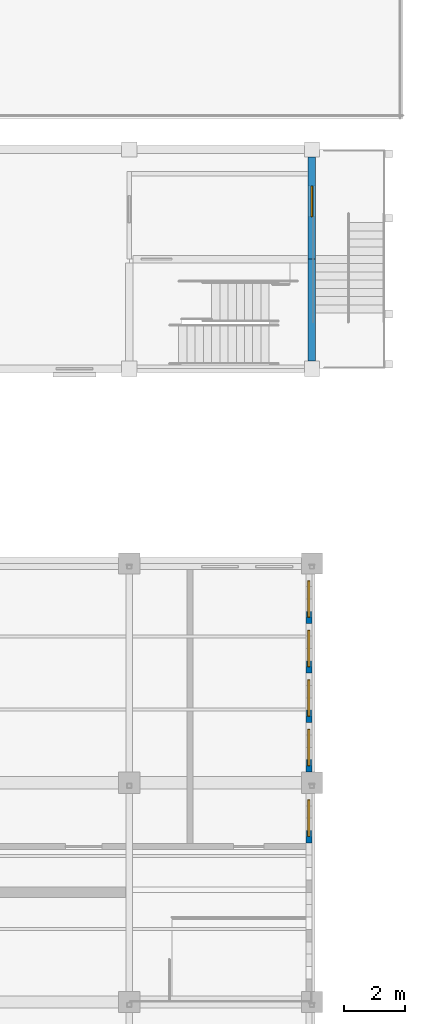
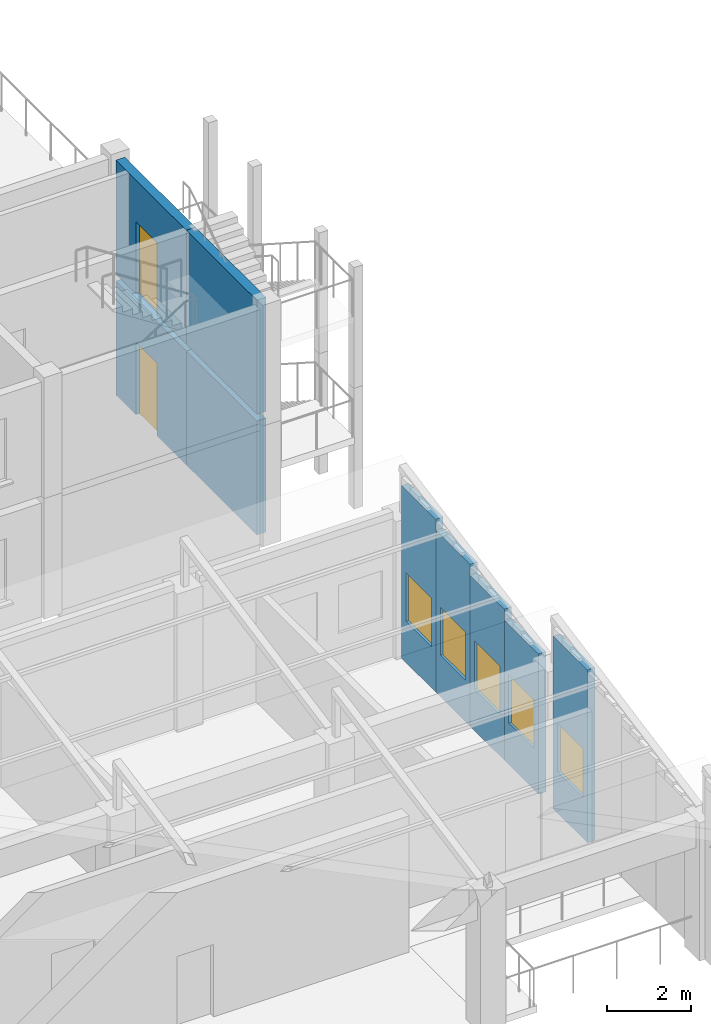
# One storey, part 74 of 103: 9 walls, 5 windows, 2 doors, 7 openings.
"""IFC4 building model written with IfcOpenShell, lengths in metres."""

from ifc_helpers import new_model, si_unit, direction, frame, frame_2d, origin, place, context, subcontext, project, spatial, rectangle, extrude, material, layer, layer_set, type_object, element, fill, save


model = new_model("IFC4")

# Units and contexts
model_context = context("Model", 3, precision=1e-05, world=origin(), true_north=direction((0.0, 1.0)))
body_context = subcontext(model_context, "Body", "Model", "MODEL_VIEW")
ifc_project = project(units=[si_unit("LENGTHUNIT", "METRE"), si_unit("AREAUNIT", "SQUARE_METRE"), si_unit("VOLUMEUNIT", "CUBIC_METRE"), si_unit("PLANEANGLEUNIT", "RADIAN"), si_unit("MASSUNIT", "GRAM", prefix="KILO")], contexts=[model_context])

# Site, building, storey
site_placement = place(None, origin())
site = spatial("IfcSite", under=ifc_project, at=site_placement, CompositionType="ELEMENT")
building_placement = place(site_placement, origin())
building = spatial("IfcBuilding", under=site, at=building_placement, Name="Laocheng Heights Fire and Rescue Headquarters", CompositionType="ELEMENT")
storey_placement = place(building_placement, frame((0.0, 0.0, 4.199951171875)))
storey = spatial("IfcBuildingStorey", under=building, at=storey_placement, Name="L01", CompositionType="ELEMENT", Elevation=4.199951171875)

# Wall, opening, window
ifc_material_1 = material(Name="Aluminium profiled sheet cladding on insulated steel liner", Category="steel")
ifc_layer_1 = layer(ifc_material_1, 0.199951171875)
ifc_layer_set_1 = layer_set([ifc_layer_1], Name="Aluminium profiled sheet cladding on insulated steel liner")
wall_type_1 = type_object("IfcWallType", Name="PROFILED METAL CLAD WALL 200 WORKSHOP", PredefinedType="SOLIDWALL", material=ifc_layer_set_1)
wall_1_placement = place(storey_placement, frame((125.89990234375, 12.425048828125, 0.0), z_axis=(0.0, 0.0, 1.0), x_axis=(0.0, 1.0, 0.0)))
wall_1 = element("IfcWall", 1, at=wall_1_placement, inside=storey, type_object=wall_type_1, Name="Workshop wall L01", PredefinedType="SOLIDWALL", context=body_context, shape_type="SweptSolid", body=[
    extrude(rectangle(XDim=1.625, YDim=0.199951171875, at=frame_2d((0.8125, 0.0))), origin(), (0.0, 0.0, 1.0), 5.00732421875),
])
opening_1_placement = place(wall_1_placement, frame((0.21240234375, 0.0, 1.199951171875)))
opening_1 = element("IfcOpeningElement", 2, at=opening_1_placement, cuts=wall_1, Name="Opening N4-E", PredefinedType="OPENING", context=body_context, shape_type="SweptSolid", body=[
    extrude(rectangle(XDim=1.199951171875, YDim=1.39990234375, at=frame_2d((0.60009765625, 0.699951171875))), frame((0.0, 0.10986328125, 0.0), z_axis=(0.0, -1.0, 0.0), x_axis=(1.0, 0.0, 0.0)), (0.0, 0.0, 1.0), 0.219970703125),
])
ifc_material_2 = material(Name="Low-e double glazing in thermally broken aluminium frame", Category="aluminium")
window_type = type_object("IfcWindowType", Name="CLERESTORY WINDOW 1200 x 1400 SILL 1200", PartitioningType="SINGLE_PANEL", PredefinedType="WINDOW", material=ifc_material_2)
window_1_placement = place(opening_1_placement, origin())
window_1 = element("IfcWindow", 3, at=window_1_placement, inside=storey, type_object=window_type, Name="Workshop window L01", OverallHeight=1.39990234375, OverallWidth=1.199951171875, PartitioningType="SINGLE_PANEL", PredefinedType="WINDOW", context=body_context, shape_type="SweptSolid", body=[
    extrude(rectangle(XDim=1.199951171875, YDim=1.39990234375, at=frame_2d((0.60009765625, 0.699951171875))), frame((0.0, 0.030029296875, 0.0), z_axis=(0.0, -1.0, 0.0), x_axis=(1.0, 0.0, 0.0)), (0.0, 0.0, 1.0), 0.06005859375),
])
fill(opening_1, window_1)

wall_2_placement = place(storey_placement, frame((125.89990234375, 14.75, 0.0), z_axis=(0.0, 0.0, 1.0), x_axis=(0.0, 1.0, 0.0)))
wall_2 = element("IfcWall", 4, at=wall_2_placement, inside=storey, type_object=wall_type_1, Name="Workshop wall L01", PredefinedType="SOLIDWALL", context=body_context, shape_type="SweptSolid", body=[
    extrude(rectangle(XDim=1.625, YDim=0.199951171875, at=frame_2d((0.8125, 0.0))), origin(), (0.0, 0.0, 1.0), 4.059326171875),
])
opening_2_placement = place(wall_2_placement, frame((0.21240234375, 0.0, 1.199951171875)))
opening_2 = element("IfcOpeningElement", 5, at=opening_2_placement, cuts=wall_2, Name="Opening N4-E", PredefinedType="OPENING", context=body_context, shape_type="SweptSolid", body=[
    extrude(rectangle(XDim=1.199951171875, YDim=1.39990234375, at=frame_2d((0.60009765625, 0.699951171875))), frame((0.0, 0.10986328125, 0.0), z_axis=(0.0, -1.0, 0.0), x_axis=(1.0, 0.0, 0.0)), (0.0, 0.0, 1.0), 0.219970703125),
])
window_2_placement = place(opening_2_placement, origin())
window_2 = element("IfcWindow", 6, at=window_2_placement, inside=storey, type_object=window_type, Name="Workshop window L01", OverallHeight=1.39990234375, OverallWidth=1.199951171875, PartitioningType="SINGLE_PANEL", PredefinedType="WINDOW", context=body_context, shape_type="SweptSolid", body=[
    extrude(rectangle(XDim=1.199951171875, YDim=1.39990234375, at=frame_2d((0.60009765625, 0.699951171875))), frame((0.0, 0.030029296875, 0.0), z_axis=(0.0, -1.0, 0.0), x_axis=(1.0, 0.0, 0.0)), (0.0, 0.0, 1.0), 0.06005859375),
])
fill(opening_2, window_2)

wall_3_placement = place(storey_placement, frame((125.89990234375, 16.375, 0.0), z_axis=(0.0, 0.0, 1.0), x_axis=(0.0, 1.0, 0.0)))
wall_3 = element("IfcWall", 7, at=wall_3_placement, inside=storey, type_object=wall_type_1, Name="Workshop wall L01", PredefinedType="SOLIDWALL", context=body_context, shape_type="SweptSolid", body=[
    extrude(rectangle(XDim=1.625, YDim=0.199951171875, at=frame_2d((0.8125, 0.0))), origin(), (0.0, 0.0, 1.0), 4.375244140625),
])
opening_3_placement = place(wall_3_placement, frame((0.21240234375, 0.0, 1.199951171875)))
opening_3 = element("IfcOpeningElement", 8, at=opening_3_placement, cuts=wall_3, Name="Opening N4-E", PredefinedType="OPENING", context=body_context, shape_type="SweptSolid", body=[
    extrude(rectangle(XDim=1.199951171875, YDim=1.39990234375, at=frame_2d((0.60009765625, 0.699951171875))), frame((0.0, 0.10986328125, 0.0), z_axis=(0.0, -1.0, 0.0), x_axis=(1.0, 0.0, 0.0)), (0.0, 0.0, 1.0), 0.219970703125),
])
window_3_placement = place(opening_3_placement, origin())
window_3 = element("IfcWindow", 9, at=window_3_placement, inside=storey, type_object=window_type, Name="Workshop window L01", OverallHeight=1.39990234375, OverallWidth=1.199951171875, PartitioningType="SINGLE_PANEL", PredefinedType="WINDOW", context=body_context, shape_type="SweptSolid", body=[
    extrude(rectangle(XDim=1.199951171875, YDim=1.39990234375, at=frame_2d((0.60009765625, 0.699951171875))), frame((0.0, 0.030029296875, 0.0), z_axis=(0.0, -1.0, 0.0), x_axis=(1.0, 0.0, 0.0)), (0.0, 0.0, 1.0), 0.06005859375),
])
fill(opening_3, window_3)

wall_4_placement = place(storey_placement, frame((125.89990234375, 18.0, 0.0), z_axis=(0.0, 0.0, 1.0), x_axis=(0.0, 1.0, 0.0)))
wall_4 = element("IfcWall", 10, at=wall_4_placement, inside=storey, type_object=wall_type_1, Name="Workshop wall L01", PredefinedType="SOLIDWALL", context=body_context, shape_type="SweptSolid", body=[
    extrude(rectangle(XDim=1.625, YDim=0.199951171875, at=frame_2d((0.8125, 0.0))), origin(), (0.0, 0.0, 1.0), 4.69140625),
])
opening_4_placement = place(wall_4_placement, frame((0.21240234375, 0.0, 1.199951171875)))
opening_4 = element("IfcOpeningElement", 11, at=opening_4_placement, cuts=wall_4, Name="Opening N4-E", PredefinedType="OPENING", context=body_context, shape_type="SweptSolid", body=[
    extrude(rectangle(XDim=1.199951171875, YDim=1.39990234375, at=frame_2d((0.60009765625, 0.699951171875))), frame((0.0, 0.10986328125, 0.0), z_axis=(0.0, -1.0, 0.0), x_axis=(1.0, 0.0, 0.0)), (0.0, 0.0, 1.0), 0.219970703125),
])
window_4_placement = place(opening_4_placement, origin())
window_4 = element("IfcWindow", 12, at=window_4_placement, inside=storey, type_object=window_type, Name="Workshop window L01", OverallHeight=1.39990234375, OverallWidth=1.199951171875, PartitioningType="SINGLE_PANEL", PredefinedType="WINDOW", context=body_context, shape_type="SweptSolid", body=[
    extrude(rectangle(XDim=1.199951171875, YDim=1.39990234375, at=frame_2d((0.60009765625, 0.699951171875))), frame((0.0, 0.030029296875, 0.0), z_axis=(0.0, -1.0, 0.0), x_axis=(1.0, 0.0, 0.0)), (0.0, 0.0, 1.0), 0.06005859375),
])
fill(opening_4, window_4)

wall_5_placement = place(storey_placement, frame((125.89990234375, 19.625, 0.0), z_axis=(0.0, 0.0, 1.0), x_axis=(0.0, 1.0, 0.0)))
wall_5 = element("IfcWall", 13, at=wall_5_placement, inside=storey, type_object=wall_type_1, Name="Workshop wall L01", PredefinedType="SOLIDWALL", context=body_context, shape_type="SweptSolid", body=[
    extrude(rectangle(XDim=1.625, YDim=0.199951171875, at=frame_2d((0.8125, 0.0))), origin(), (0.0, 0.0, 1.0), 5.00732421875),
])
opening_5_placement = place(wall_5_placement, frame((0.21240234375, 0.0, 1.199951171875)))
opening_5 = element("IfcOpeningElement", 14, at=opening_5_placement, cuts=wall_5, Name="Opening N4-E", PredefinedType="OPENING", context=body_context, shape_type="SweptSolid", body=[
    extrude(rectangle(XDim=1.199951171875, YDim=1.39990234375, at=frame_2d((0.60009765625, 0.699951171875))), frame((0.0, 0.10986328125, 0.0), z_axis=(0.0, -1.0, 0.0), x_axis=(1.0, 0.0, 0.0)), (0.0, 0.0, 1.0), 0.219970703125),
])
window_5_placement = place(opening_5_placement, origin())
window_5 = element("IfcWindow", 15, at=window_5_placement, inside=storey, type_object=window_type, Name="Workshop window L01", OverallHeight=1.39990234375, OverallWidth=1.199951171875, PartitioningType="SINGLE_PANEL", PredefinedType="WINDOW", context=body_context, shape_type="SweptSolid", body=[
    extrude(rectangle(XDim=1.199951171875, YDim=1.39990234375, at=frame_2d((0.60009765625, 0.699951171875))), frame((0.0, 0.030029296875, 0.0), z_axis=(0.0, -1.0, 0.0), x_axis=(1.0, 0.0, 0.0)), (0.0, 0.0, 1.0), 0.06005859375),
])
fill(opening_5, window_5)

# Wall, opening, door
ifc_material_3 = material(Name="Concrete C40", Category="concrete")
ifc_layer_2 = layer(ifc_material_3, 0.25)
ifc_layer_set_2 = layer_set([ifc_layer_2], Name="Concrete C40")
wall_type_2 = type_object("IfcWallType", Name="RC SHEAR WALL 250 BOARD-MARKED DRILL TOWER", PredefinedType="SHEAR", material=ifc_layer_set_2)
wall_6_placement = place(storey_placement, frame((126.0, 31.60009765625, -0.699951171875), z_axis=(0.0, 0.0, 1.0), x_axis=(0.0, 1.0, 0.0)))
wall_6 = element("IfcWall", 16, at=wall_6_placement, inside=storey, type_object=wall_type_2, Name="Drill tower wall E F2", PredefinedType="SHEAR", context=body_context, shape_type="SweptSolid", body=[
    extrude(rectangle(XDim=3.349853515625, YDim=0.25, at=frame_2d((1.6748046875, 0.0))), origin(), (0.0, 0.0, 1.0), 3.300048828125),
])
opening_6_placement = place(wall_6_placement, frame((1.39990234375, 0.0, 0.0)))
opening_6 = element("IfcOpeningElement", 17, at=opening_6_placement, cuts=wall_6, Name="Opening L01-L01", PredefinedType="OPENING", context=body_context, shape_type="SweptSolid", body=[
    extrude(rectangle(XDim=1.0, YDim=2.10009765625, at=frame_2d((0.5, 1.050048828125))), frame((0.0, 0.135009765625, 0.0), z_axis=(0.0, -1.0, 0.0), x_axis=(1.0, 0.0, 0.0)), (0.0, 0.0, 1.0), 0.27001953125),
])
ifc_material_4 = material(Name="Steel door leaf, painted", Category="steel")
door_type = type_object("IfcDoorType", Name="STEEL DOOR 1000x2100 EI 60 DRILL TOWER", OperationType="SINGLE_SWING_LEFT", PredefinedType="DOOR", material=ifc_material_4)
door_1_placement = place(opening_6_placement, origin())
door_1 = element("IfcDoor", 18, at=door_1_placement, inside=storey, type_object=door_type, Name="Door L01-L01", OperationType="SINGLE_SWING_RIGHT", OverallHeight=2.10009765625, OverallWidth=1.0, PredefinedType="DOOR", context=body_context, shape_type="SweptSolid", body=[
    extrude(rectangle(XDim=1.0, YDim=2.10009765625, at=frame_2d((0.5, 1.050048828125))), frame((0.0, 0.02490234375, 0.0), z_axis=(0.0, -1.0, 0.0), x_axis=(1.0, 0.0, 0.0)), (0.0, 0.0, 1.0), 0.050048828125),
])
fill(opening_6, door_1)

wall_7_placement = place(storey_placement, frame((126.0, 31.60009765625, 2.800048828125), z_axis=(0.0, 0.0, 1.0), x_axis=(0.0, 1.0, 0.0)))
wall_7 = element("IfcWall", 19, at=wall_7_placement, inside=storey, type_object=wall_type_2, Name="Drill tower wall E F3", PredefinedType="SHEAR", context=body_context, shape_type="SweptSolid", body=[
    extrude(rectangle(XDim=3.349853515625, YDim=0.25, at=frame_2d((1.6748046875, 0.0))), origin(), (0.0, 0.0, 1.0), 3.300048828125),
])
opening_7_placement = place(wall_7_placement, frame((1.39990234375, 0.0, 0.0)))
opening_7 = element("IfcOpeningElement", 20, at=opening_7_placement, cuts=wall_7, Name="Opening L01-L02", PredefinedType="OPENING", context=body_context, shape_type="SweptSolid", body=[
    extrude(rectangle(XDim=1.0, YDim=2.10009765625, at=frame_2d((0.5, 1.050048828125))), frame((0.0, 0.135009765625, 0.0), z_axis=(0.0, -1.0, 0.0), x_axis=(1.0, 0.0, 0.0)), (0.0, 0.0, 1.0), 0.27001953125),
])
door_2_placement = place(opening_7_placement, frame((1.0, 0.0, 0.0), z_axis=(0.0, 0.0, 1.0), x_axis=(-1.0, 0.0, 0.0)))
door_2 = element("IfcDoor", 21, at=door_2_placement, inside=storey, type_object=door_type, Name="Door L01-L02", OperationType="SINGLE_SWING_RIGHT", OverallHeight=2.10009765625, OverallWidth=1.0, PredefinedType="DOOR", context=body_context, shape_type="SweptSolid", body=[
    extrude(rectangle(XDim=1.0, YDim=2.10009765625, at=frame_2d((0.5, 1.050048828125))), frame((0.0, 0.02490234375, 0.0), z_axis=(0.0, -1.0, 0.0), x_axis=(1.0, 0.0, 0.0)), (0.0, 0.0, 1.0), 0.050048828125),
])
fill(opening_7, door_2)

# Walls
ifc_material_5 = material(Name="Concrete C50", Category="concrete")
ifc_layer_3 = layer(ifc_material_5, 0.25)
ifc_layer_set_3 = layer_set([ifc_layer_3], Name="Concrete C50")
wall_type_3 = type_object("IfcWallType", Name="RC STAIR ENCLOSURE WALL 250", PredefinedType="SHEAR", material=ifc_layer_set_3)
for number, where, z_axis, x_axis, name in (
    (22, (126.0, 28.25, -0.699951171875), (0.0, 0.0, 1.0), (0.0, 1.0, 0.0), "Stair enclosure wall"),
    (23, (126.0, 28.25, 2.800048828125), (0.0, 0.0, 1.0), (0.0, 1.0, 0.0), "Stair enclosure wall"),
):
    element("IfcWall", number, at=place(storey_placement, frame(where, z_axis=z_axis, x_axis=x_axis)), inside=storey, type_object=wall_type_3, Name=name, PredefinedType="SHEAR", context=body_context, shape_type="SweptSolid", body=[
        extrude(rectangle(XDim=3.35009765625, YDim=0.25, at=frame_2d((1.675048828125, 0.0))), origin(), (0.0, 0.0, 1.0), 3.300048828125),
    ])

save(model, "model.ifc")
